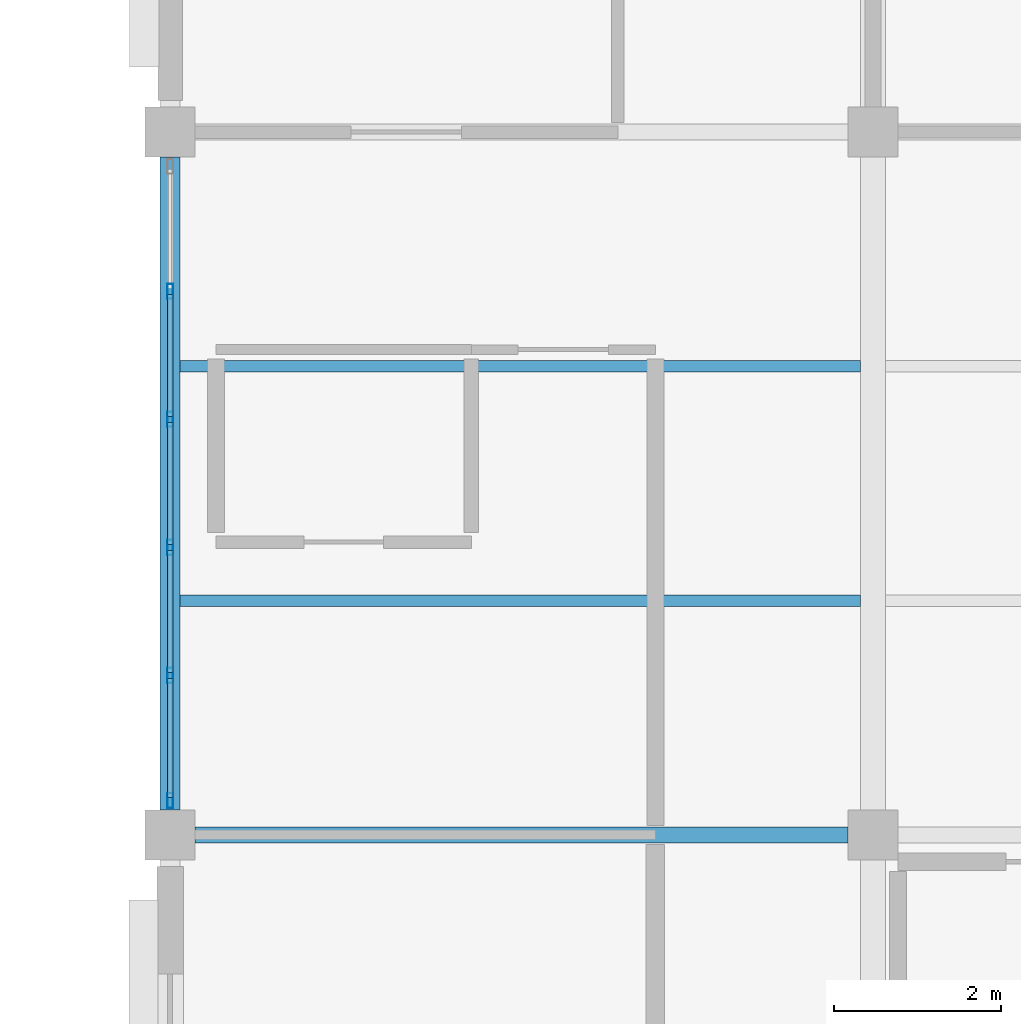
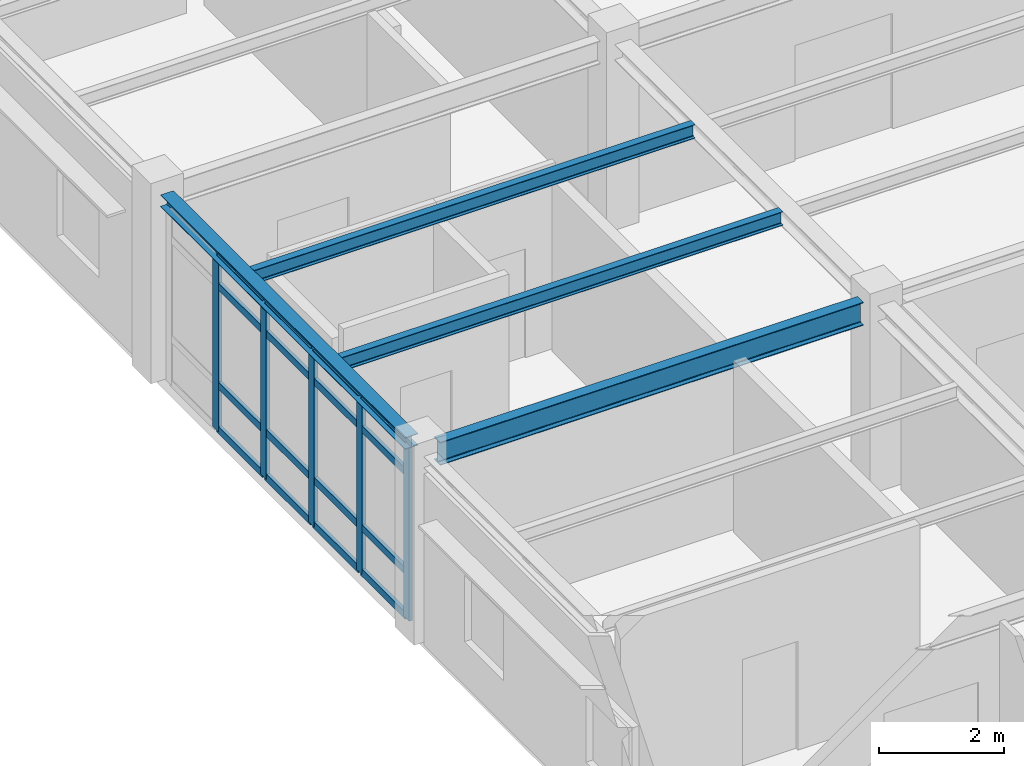
# One storey, part 2 of 70: 21 members, 4 beams, 1 element without a shape of its own.
"""IFC4 building model written with IfcOpenShell, lengths in metres."""

from ifc_helpers import new_model, si_unit, direction, frame, origin, origin_2d, place, context, subcontext, project, spatial, hollow_rectangle, i_section, extrude, material, layer, layer_set, material_profile, profile_set, type_object, element, aggregate, save


model = new_model("IFC4")

# Units and contexts
model_context = context("Model", 3, precision=1e-05, world=origin(), true_north=direction((0.0, 1.0)))
body_context = subcontext(model_context, "Body", "Model", "MODEL_VIEW")
ifc_project = project(units=[si_unit("LENGTHUNIT", "METRE"), si_unit("AREAUNIT", "SQUARE_METRE"), si_unit("VOLUMEUNIT", "CUBIC_METRE"), si_unit("PLANEANGLEUNIT", "RADIAN"), si_unit("MASSUNIT", "GRAM", prefix="KILO")], contexts=[model_context])

# Site, building, storey
site_placement = place(None, origin())
site = spatial("IfcSite", under=ifc_project, at=site_placement, CompositionType="ELEMENT")
building_placement = place(site_placement, origin())
building = spatial("IfcBuilding", under=site, at=building_placement, Name="Bramfleet General Hospital", CompositionType="ELEMENT")
storey_placement = place(building_placement, frame((0.0, 0.0, 22.5)))
storey = spatial("IfcBuildingStorey", under=building, at=storey_placement, Name="L05", CompositionType="ELEMENT", Elevation=22.5)

# Beams
ifc_material_1 = material(Name="Steel S355", Category="steel")
ifc_material_profile_1 = material_profile(ifc_material_1, i_section(OverallWidth=0.239990234375, OverallDepth=0.22998046875, WebThickness=0.007568359375, FlangeThickness=0.011962890625, FilletRadius=0.02099609375, at=origin_2d()), Name="HEA 240")
ifc_profile_set_1 = profile_set([ifc_material_profile_1], Name="Steel S355")
beam_type_1 = type_object("IfcBeamType", Name="BM-HEA240", PredefinedType="SPANDREL", material=ifc_profile_set_1)
beam_1_placement = place(storey_placement, frame((92.39990234375, 17.10009765625, 3.5048828125), z_axis=(0.0, 1.0, 0.0), x_axis=(-1.0, 0.0, 0.0)))
element("IfcBeam", 1, at=beam_1_placement, inside=storey, type_object=beam_type_1, Name="L05 Grid Beam Y 11-02", PredefinedType="SPANDREL", context=body_context, shape_type="SweptSolid", body=[
    extrude(i_section(OverallWidth=0.239990234375, OverallDepth=0.22998046875, WebThickness=0.007568359375, FlangeThickness=0.011962890625, FilletRadius=0.02099609375, at=origin_2d()), origin(), (0.0, 0.0, 1.0), 7.7998046875),
])
ifc_material_profile_2 = material_profile(ifc_material_1, i_section(OverallWidth=0.135009765625, OverallDepth=0.27001953125, WebThickness=0.006591796875, FlangeThickness=0.01025390625, FilletRadius=0.014892578125, at=origin_2d()), Name="IPE 270")
ifc_profile_set_2 = profile_set([ifc_material_profile_2], Name="Steel S355")
beam_type_2 = type_object("IfcBeamType", Name="BM-IPE270", PredefinedType="JOIST", material=ifc_profile_set_2)
for number, where, z_axis, x_axis, name in (
    (2, (92.52001953125, 19.60009765625, 3.485107421875), (1.0, 0.0, 0.0), (0.0, 1.0, 0.0), "L05 Secondary Joist 11-02-1"),
    (3, (92.52001953125, 22.39990234375, 3.485107421875), (1.0, 0.0, 0.0), (0.0, 1.0, 0.0), "L05 Secondary Joist 11-02-2"),
):
    element("IfcBeam", number, at=place(storey_placement, frame(where, z_axis=z_axis, x_axis=x_axis)), inside=storey, type_object=beam_type_2, Name=name, PredefinedType="JOIST", context=body_context, shape_type="SweptSolid", body=[
        extrude(i_section(OverallWidth=0.135009765625, OverallDepth=0.27001953125, WebThickness=0.006591796875, FlangeThickness=0.01025390625, FilletRadius=0.014892578125, at=origin_2d()), origin(), (0.0, 0.0, 1.0), 8.1298828125),
    ])
ifc_material_profile_3 = material_profile(ifc_material_1, i_section(OverallWidth=0.18994140625, OverallDepth=0.449951171875, WebThickness=0.009521484375, FlangeThickness=0.0146484375, FilletRadius=0.02099609375, at=origin_2d()), Name="IPE 450")
ifc_profile_set_3 = profile_set([ifc_material_profile_3], Name="Steel S355")
beam_type_3 = type_object("IfcBeamType", Name="BM-IPE450", PredefinedType="BEAM", material=ifc_profile_set_3)
beam_2_placement = place(storey_placement, frame((92.699951171875, 16.800048828125, 3.39501953125), z_axis=(1.0, 0.0, 0.0), x_axis=(0.0, 1.0, 0.0)))
element("IfcBeam", 4, at=beam_2_placement, inside=storey, type_object=beam_type_3, Name="L05 Grid Beam X 11-02", PredefinedType="BEAM", context=body_context, shape_type="SweptSolid", body=[
    extrude(i_section(OverallWidth=0.18994140625, OverallDepth=0.449951171875, WebThickness=0.009521484375, FlangeThickness=0.0146484375, FilletRadius=0.02099609375, at=origin_2d()), origin(), (0.0, 0.0, 1.0), 7.800048828125),
])

# Curtain wall, members
ifc_material_2 = material(Name="Anodised aluminium and low-E triple glazing", Category="aluminium")
ifc_layer = layer(ifc_material_2, 0.179931640625, Name="CWT-CW-13")
ifc_layer_set = layer_set([ifc_layer], Name="Anodised aluminium and low-E triple glazing")
curtain_wall_type = type_object("IfcCurtainWallType", Name="CWT-CW-13", PredefinedType="USERDEFINED", material=ifc_layer_set)
curtain_wall_placement = place(storey_placement, origin())
curtain_wall = element("IfcCurtainWall", 5, at=curtain_wall_placement, inside=storey, type_object=curtain_wall_type, Name="L05 Curtain Wall 211", ObjectType="Stick curtain wall", PredefinedType="USERDEFINED")
ifc_material_3 = material(Name="Anodised aluminium EN AW-6060", Category="aluminium")
ifc_material_profile_4 = material_profile(ifc_material_3, hollow_rectangle(XDim=0.070068359375, YDim=0.179931640625, WallThickness=0.00390625, at=origin_2d()), Name="ALU 180x70x4.0")
ifc_profile_set_4 = profile_set([ifc_material_profile_4], Name="Anodised aluminium EN AW-6060")
member_type_1 = type_object("IfcMemberType", Name="CWM-ALU180", PredefinedType="MULLION", material=ifc_profile_set_4)
member_1_placement = place(storey_placement, frame((92.39990234375, 17.2099609375, 0.0), z_axis=(0.0, 0.0, 1.0), x_axis=(-1.0, 0.0, 0.0)))
member_1 = element("IfcMember", 6, at=member_1_placement, type_object=member_type_1, Name="CW-13 mullion 1", PredefinedType="MULLION", context=body_context, shape_type="SweptSolid", body=[
    extrude(hollow_rectangle(XDim=0.070068359375, YDim=0.179931640625, WallThickness=0.00390625, at=origin_2d()), origin(), (0.0, 0.0, 1.0), 3.3798828125),
])
member_2_placement = place(storey_placement, frame((92.39990234375, 18.705078125, 0.0), z_axis=(0.0, 0.0, 1.0), x_axis=(-1.0, 0.0, 0.0)))
member_2 = element("IfcMember", 7, at=member_2_placement, type_object=member_type_1, Name="CW-13 mullion 2", PredefinedType="MULLION", context=body_context, shape_type="SweptSolid", body=[
    extrude(hollow_rectangle(XDim=0.070068359375, YDim=0.179931640625, WallThickness=0.00390625, at=origin_2d()), origin(), (0.0, 0.0, 1.0), 3.3798828125),
])
member_3_placement = place(storey_placement, frame((92.39990234375, 20.235107421875, 0.0), z_axis=(0.0, 0.0, 1.0), x_axis=(-1.0, 0.0, 0.0)))
member_3 = element("IfcMember", 8, at=member_3_placement, type_object=member_type_1, Name="CW-13 mullion 3", PredefinedType="MULLION", context=body_context, shape_type="SweptSolid", body=[
    extrude(hollow_rectangle(XDim=0.070068359375, YDim=0.179931640625, WallThickness=0.00390625, at=origin_2d()), origin(), (0.0, 0.0, 1.0), 3.3798828125),
])
member_4_placement = place(storey_placement, frame((92.39990234375, 21.764892578125, 0.0), z_axis=(0.0, 0.0, 1.0), x_axis=(-1.0, 0.0, 0.0)))
member_4 = element("IfcMember", 9, at=member_4_placement, type_object=member_type_1, Name="CW-13 mullion 4", PredefinedType="MULLION", context=body_context, shape_type="SweptSolid", body=[
    extrude(hollow_rectangle(XDim=0.070068359375, YDim=0.179931640625, WallThickness=0.00390625, at=origin_2d()), origin(), (0.0, 0.0, 1.0), 3.3798828125),
])
member_5_placement = place(storey_placement, frame((92.39990234375, 23.294921875, 0.0), z_axis=(0.0, 0.0, 1.0), x_axis=(-1.0, 0.0, 0.0)))
member_5 = element("IfcMember", 10, at=member_5_placement, type_object=member_type_1, Name="CW-13 mullion 5", PredefinedType="MULLION", context=body_context, shape_type="SweptSolid", body=[
    extrude(hollow_rectangle(XDim=0.070068359375, YDim=0.179931640625, WallThickness=0.00390625, at=origin_2d()), origin(), (0.0, 0.0, 1.0), 3.3798828125),
])
ifc_material_profile_5 = material_profile(ifc_material_3, hollow_rectangle(XDim=0.06494140625, YDim=0.139892578125, WallThickness=0.00390625, at=origin_2d()), Name="ALU 140x65x4.0")
ifc_profile_set_5 = profile_set([ifc_material_profile_5], Name="Anodised aluminium EN AW-6060")
member_type_2 = type_object("IfcMemberType", Name="CWT-ALU140", PredefinedType="USERDEFINED", material=ifc_profile_set_5)
member_6_placement = place(storey_placement, frame((92.39990234375, 17.2451171875, 0.032470703125), z_axis=(0.0, 1.0, 0.0), x_axis=(-1.0, 0.0, 0.0)))
member_6 = element("IfcMember", 11, at=member_6_placement, type_object=member_type_2, Name="CW-13 transom 1.1", ObjectType="TRANSOM", PredefinedType="USERDEFINED", context=body_context, shape_type="SweptSolid", body=[
    extrude(hollow_rectangle(XDim=0.06494140625, YDim=0.139892578125, WallThickness=0.00390625, at=origin_2d()), origin(), (0.0, 0.0, 1.0), 1.4248046875),
])
member_7_placement = place(storey_placement, frame((92.39990234375, 17.2451171875, 0.89990234375), z_axis=(0.0, 1.0, 0.0), x_axis=(-1.0, 0.0, 0.0)))
member_7 = element("IfcMember", 12, at=member_7_placement, type_object=member_type_2, Name="CW-13 transom 1.2", ObjectType="TRANSOM", PredefinedType="USERDEFINED", context=body_context, shape_type="SweptSolid", body=[
    extrude(hollow_rectangle(XDim=0.06494140625, YDim=0.139892578125, WallThickness=0.00390625, at=origin_2d()), origin(), (0.0, 0.0, 1.0), 1.4248046875),
])
member_8_placement = place(storey_placement, frame((92.39990234375, 17.2451171875, 2.830078125), z_axis=(0.0, 1.0, 0.0), x_axis=(-1.0, 0.0, 0.0)))
member_8 = element("IfcMember", 13, at=member_8_placement, type_object=member_type_2, Name="CW-13 transom 1.3", ObjectType="TRANSOM", PredefinedType="USERDEFINED", context=body_context, shape_type="SweptSolid", body=[
    extrude(hollow_rectangle(XDim=0.06494140625, YDim=0.139892578125, WallThickness=0.00390625, at=origin_2d()), origin(), (0.0, 0.0, 1.0), 1.4248046875),
])
member_9_placement = place(storey_placement, frame((92.39990234375, 17.2451171875, 3.347412109375), z_axis=(0.0, 1.0, 0.0), x_axis=(-1.0, 0.0, 0.0)))
member_9 = element("IfcMember", 14, at=member_9_placement, type_object=member_type_2, Name="CW-13 transom 1.4", ObjectType="TRANSOM", PredefinedType="USERDEFINED", context=body_context, shape_type="SweptSolid", body=[
    extrude(hollow_rectangle(XDim=0.06494140625, YDim=0.139892578125, WallThickness=0.00390625, at=origin_2d()), origin(), (0.0, 0.0, 1.0), 1.4248046875),
])
member_10_placement = place(storey_placement, frame((92.39990234375, 18.739990234375, 0.032470703125), z_axis=(0.0, 1.0, 0.0), x_axis=(-1.0, 0.0, 0.0)))
member_10 = element("IfcMember", 15, at=member_10_placement, type_object=member_type_2, Name="CW-13 transom 2.1", ObjectType="TRANSOM", PredefinedType="USERDEFINED", context=body_context, shape_type="SweptSolid", body=[
    extrude(hollow_rectangle(XDim=0.06494140625, YDim=0.139892578125, WallThickness=0.00390625, at=origin_2d()), origin(), (0.0, 0.0, 1.0), 1.4599609375),
])
member_11_placement = place(storey_placement, frame((92.39990234375, 18.739990234375, 0.89990234375), z_axis=(0.0, 1.0, 0.0), x_axis=(-1.0, 0.0, 0.0)))
member_11 = element("IfcMember", 16, at=member_11_placement, type_object=member_type_2, Name="CW-13 transom 2.2", ObjectType="TRANSOM", PredefinedType="USERDEFINED", context=body_context, shape_type="SweptSolid", body=[
    extrude(hollow_rectangle(XDim=0.06494140625, YDim=0.139892578125, WallThickness=0.00390625, at=origin_2d()), origin(), (0.0, 0.0, 1.0), 1.4599609375),
])
member_12_placement = place(storey_placement, frame((92.39990234375, 18.739990234375, 2.830078125), z_axis=(0.0, 1.0, 0.0), x_axis=(-1.0, 0.0, 0.0)))
member_12 = element("IfcMember", 17, at=member_12_placement, type_object=member_type_2, Name="CW-13 transom 2.3", ObjectType="TRANSOM", PredefinedType="USERDEFINED", context=body_context, shape_type="SweptSolid", body=[
    extrude(hollow_rectangle(XDim=0.06494140625, YDim=0.139892578125, WallThickness=0.00390625, at=origin_2d()), origin(), (0.0, 0.0, 1.0), 1.4599609375),
])
member_13_placement = place(storey_placement, frame((92.39990234375, 18.739990234375, 3.347412109375), z_axis=(0.0, 1.0, 0.0), x_axis=(-1.0, 0.0, 0.0)))
member_13 = element("IfcMember", 18, at=member_13_placement, type_object=member_type_2, Name="CW-13 transom 2.4", ObjectType="TRANSOM", PredefinedType="USERDEFINED", context=body_context, shape_type="SweptSolid", body=[
    extrude(hollow_rectangle(XDim=0.06494140625, YDim=0.139892578125, WallThickness=0.00390625, at=origin_2d()), origin(), (0.0, 0.0, 1.0), 1.4599609375),
])
member_14_placement = place(storey_placement, frame((92.39990234375, 20.27001953125, 0.032470703125), z_axis=(0.0, 1.0, 0.0), x_axis=(-1.0, 0.0, 0.0)))
member_14 = element("IfcMember", 19, at=member_14_placement, type_object=member_type_2, Name="CW-13 transom 3.1", ObjectType="TRANSOM", PredefinedType="USERDEFINED", context=body_context, shape_type="SweptSolid", body=[
    extrude(hollow_rectangle(XDim=0.06494140625, YDim=0.139892578125, WallThickness=0.00390625, at=origin_2d()), origin(), (0.0, 0.0, 1.0), 1.4599609375),
])
member_15_placement = place(storey_placement, frame((92.39990234375, 20.27001953125, 0.89990234375), z_axis=(0.0, 1.0, 0.0), x_axis=(-1.0, 0.0, 0.0)))
member_15 = element("IfcMember", 20, at=member_15_placement, type_object=member_type_2, Name="CW-13 transom 3.2", ObjectType="TRANSOM", PredefinedType="USERDEFINED", context=body_context, shape_type="SweptSolid", body=[
    extrude(hollow_rectangle(XDim=0.06494140625, YDim=0.139892578125, WallThickness=0.00390625, at=origin_2d()), origin(), (0.0, 0.0, 1.0), 1.4599609375),
])
member_16_placement = place(storey_placement, frame((92.39990234375, 20.27001953125, 2.830078125), z_axis=(0.0, 1.0, 0.0), x_axis=(-1.0, 0.0, 0.0)))
member_16 = element("IfcMember", 21, at=member_16_placement, type_object=member_type_2, Name="CW-13 transom 3.3", ObjectType="TRANSOM", PredefinedType="USERDEFINED", context=body_context, shape_type="SweptSolid", body=[
    extrude(hollow_rectangle(XDim=0.06494140625, YDim=0.139892578125, WallThickness=0.00390625, at=origin_2d()), origin(), (0.0, 0.0, 1.0), 1.4599609375),
])
member_17_placement = place(storey_placement, frame((92.39990234375, 20.27001953125, 3.347412109375), z_axis=(0.0, 1.0, 0.0), x_axis=(-1.0, 0.0, 0.0)))
member_17 = element("IfcMember", 22, at=member_17_placement, type_object=member_type_2, Name="CW-13 transom 3.4", ObjectType="TRANSOM", PredefinedType="USERDEFINED", context=body_context, shape_type="SweptSolid", body=[
    extrude(hollow_rectangle(XDim=0.06494140625, YDim=0.139892578125, WallThickness=0.00390625, at=origin_2d()), origin(), (0.0, 0.0, 1.0), 1.4599609375),
])
member_18_placement = place(storey_placement, frame((92.39990234375, 21.800048828125, 0.032470703125), z_axis=(0.0, 1.0, 0.0), x_axis=(-1.0, 0.0, 0.0)))
member_18 = element("IfcMember", 23, at=member_18_placement, type_object=member_type_2, Name="CW-13 transom 4.1", ObjectType="TRANSOM", PredefinedType="USERDEFINED", context=body_context, shape_type="SweptSolid", body=[
    extrude(hollow_rectangle(XDim=0.06494140625, YDim=0.139892578125, WallThickness=0.00390625, at=origin_2d()), origin(), (0.0, 0.0, 1.0), 1.4599609375),
])
member_19_placement = place(storey_placement, frame((92.39990234375, 21.800048828125, 0.89990234375), z_axis=(0.0, 1.0, 0.0), x_axis=(-1.0, 0.0, 0.0)))
member_19 = element("IfcMember", 24, at=member_19_placement, type_object=member_type_2, Name="CW-13 transom 4.2", ObjectType="TRANSOM", PredefinedType="USERDEFINED", context=body_context, shape_type="SweptSolid", body=[
    extrude(hollow_rectangle(XDim=0.06494140625, YDim=0.139892578125, WallThickness=0.00390625, at=origin_2d()), origin(), (0.0, 0.0, 1.0), 1.4599609375),
])
member_20_placement = place(storey_placement, frame((92.39990234375, 21.800048828125, 2.830078125), z_axis=(0.0, 1.0, 0.0), x_axis=(-1.0, 0.0, 0.0)))
member_20 = element("IfcMember", 25, at=member_20_placement, type_object=member_type_2, Name="CW-13 transom 4.3", ObjectType="TRANSOM", PredefinedType="USERDEFINED", context=body_context, shape_type="SweptSolid", body=[
    extrude(hollow_rectangle(XDim=0.06494140625, YDim=0.139892578125, WallThickness=0.00390625, at=origin_2d()), origin(), (0.0, 0.0, 1.0), 1.4599609375),
])
member_21_placement = place(storey_placement, frame((92.39990234375, 21.800048828125, 3.347412109375), z_axis=(0.0, 1.0, 0.0), x_axis=(-1.0, 0.0, 0.0)))
member_21 = element("IfcMember", 26, at=member_21_placement, type_object=member_type_2, Name="CW-13 transom 4.4", ObjectType="TRANSOM", PredefinedType="USERDEFINED", context=body_context, shape_type="SweptSolid", body=[
    extrude(hollow_rectangle(XDim=0.06494140625, YDim=0.139892578125, WallThickness=0.00390625, at=origin_2d()), origin(), (0.0, 0.0, 1.0), 1.4599609375),
])
aggregate(curtain_wall, [member_1, member_2, member_3, member_4, member_5, member_6, member_7, member_8, member_9, member_10, member_11, member_12, member_13, member_14, member_15, member_16, member_17, member_18, member_19, member_20, member_21])

save(model, "model.ifc")
